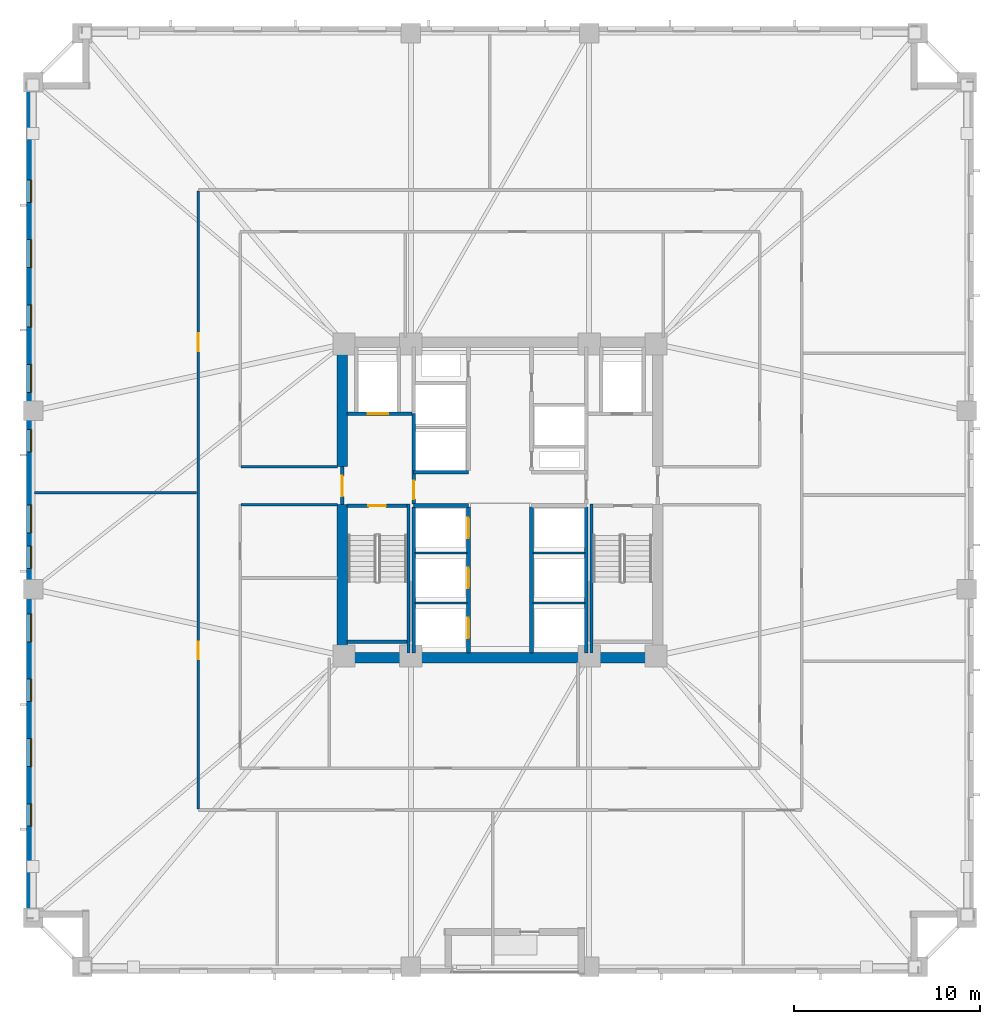
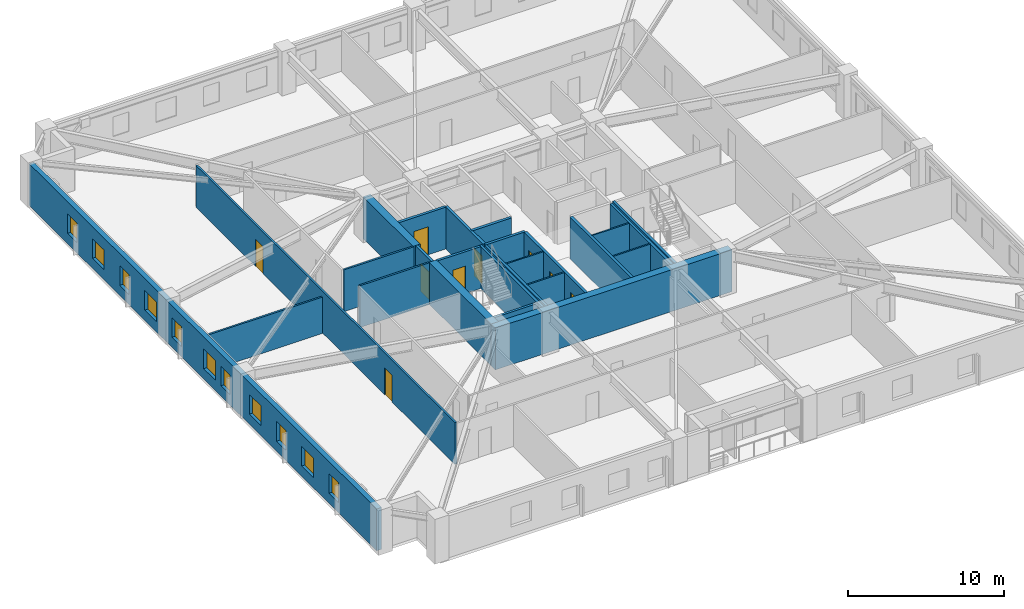
# One storey, part 3 of 11: 25 walls, 11 windows, 9 doors, 20 openings.
"""IFC4 building model written with IfcOpenShell, lengths in metres."""

import ifcopenshell
import ifcopenshell.guid

model = None  # the IFC model being written
_history = None  # IfcOwnerHistory: only IFC2X3 demands one
_inside = {}  # id of a spatial element -> (the spatial element, [elements in it])
_under = {}  # id of a project, library or spatial element -> (it, [spatial elements below it])
_declared = {}  # id of a project -> (the project, [libraries it declares])
_typed = {}  # id of a type object -> (the type object, [elements of that type])
_made_of = {}  # id of a material, layer set ... -> (it, [elements and type objects made of it])


def new_model(schema):
    """Start an empty IFC model of exactly this schema.

    Asked for "IFC4X3", IfcOpenShell would pick the latest addendum, in which some entities
    have other attributes; the version numbers below select the first issue.
    IFC2X3 requires an IfcOwnerHistory on every rooted entity: one is made here for all.
    """
    global model, _history
    if schema == "IFC4X3":
        model = ifcopenshell.file(schema_version=(4, 3, 0, 0))
    else:
        model = ifcopenshell.file(schema=schema)
    _inside.clear()
    _under.clear()
    _declared.clear()
    _typed.clear()
    _made_of.clear()
    _history = None
    if model.schema == "IFC2X3":
        org = make("IfcOrganization", Name="unknown")
        user = make(
            "IfcPersonAndOrganization",
            ThePerson=make("IfcPerson", FamilyName="unknown"),
            TheOrganization=org,
        )
        app = make(
            "IfcApplication",
            ApplicationDeveloper=org,
            Version="unknown",
            ApplicationFullName="unknown",
            ApplicationIdentifier="unknown",
        )
        _history = make(
            "IfcOwnerHistory",
            OwningUser=user,
            OwningApplication=app,
            ChangeAction="ADDED",
            CreationDate=0,
        )
    return model


def make(cls, **values):
    """One entity of the class cls with the attributes given. An attribute that is None is left unset."""
    return model.create_entity(
        cls, **{name: value for name, value in values.items() if value is not None}
    )


def rooted(cls, **values):
    """An entity with a GlobalId (a new one), such as an element, a storey or a relation."""
    return make(cls, GlobalId=ifcopenshell.guid.new(), OwnerHistory=_history, **values)


def si_unit(unit_type, name, prefix=None):
    """IfcSIUnit, for example si_unit("LENGTHUNIT", "METRE", prefix="MILLI")."""
    return make("IfcSIUnit", UnitType=unit_type, Prefix=prefix, Name=name)


def assignment(units):
    """IfcUnitAssignment: the units of a project."""
    return None if units is None else make("IfcUnitAssignment", Units=units)


def point(xyz):
    """IfcCartesianPoint."""
    return None if xyz is None else make("IfcCartesianPoint", Coordinates=xyz)


def direction(xyz):
    """IfcDirection."""
    return None if xyz is None else make("IfcDirection", DirectionRatios=xyz)


def frame(location, z_axis=None, x_axis=None):
    """IfcAxis2Placement3D, a coordinate frame: its origin and axes. An axis left out is left unset."""
    return make(
        "IfcAxis2Placement3D",
        Location=point(location),
        Axis=direction(z_axis),
        RefDirection=direction(x_axis),
    )


def frame_2d(location, x_axis=None):
    """IfcAxis2Placement2D, a coordinate frame in the plane: its origin and x axis."""
    return make(
        "IfcAxis2Placement2D", Location=point(location), RefDirection=direction(x_axis)
    )


def origin():
    """The frame at (0, 0, 0) with its axes left unset."""
    return frame((0.0, 0.0, 0.0))


def place(relative_to, where):
    """IfcLocalPlacement: puts the frame where relative to a parent placement (None: the world)."""
    return make(
        "IfcLocalPlacement", PlacementRelTo=relative_to, RelativePlacement=where
    )


def context(
    kind, dimensions, precision=None, world=None, true_north=None, identifier=None
):
    """IfcGeometricRepresentationContext, for example the 3D "Model" context."""
    return make(
        "IfcGeometricRepresentationContext",
        ContextIdentifier=identifier,
        ContextType=kind,
        CoordinateSpaceDimension=dimensions,
        Precision=precision,
        WorldCoordinateSystem=world,
        TrueNorth=true_north,
    )


def subcontext(parent, identifier, kind, view, scale=None):
    """IfcGeometricRepresentationSubContext, for example "Body" below "Model"."""
    return make(
        "IfcGeometricRepresentationSubContext",
        ContextIdentifier=identifier,
        ContextType=kind,
        ParentContext=parent,
        TargetScale=scale,
        TargetView=view,
    )


def project(units=None, contexts=None):
    """IfcProject with its units and contexts."""
    return rooted(
        "IfcProject",
        Name="project",
        RepresentationContexts=contexts,
        UnitsInContext=assignment(units),
    )


def spatial(cls, under=None, at=None, **own):
    """A site, building, storey or space (cls), placed at a placement, below another one or the project."""
    s = rooted(cls, ObjectPlacement=at, **own)
    if under is not None:
        _under.setdefault(under.id(), (under, []))[1].append(s)
    return s


def profile(cls, at=None, kind="AREA", **sizes):
    """A parametric profile (cls). Its sizes go by their IFC names, for example OverallWidth=200.0."""
    return make(cls, ProfileType=kind, Position=at, **sizes)


def rectangle(**sizes):
    """IfcRectangleProfileDef."""
    return profile("IfcRectangleProfileDef", **sizes)


def extrude(swept, where, along, depth):
    """IfcExtrudedAreaSolid: the profile swept, set in the frame where, extruded along a direction by depth."""
    return make(
        "IfcExtrudedAreaSolid",
        SweptArea=swept,
        Position=where,
        ExtrudedDirection=direction(along),
        Depth=depth,
    )


def shape(context_of_items, identifier, shape_type, items):
    """IfcShapeRepresentation: the items that make up one representation, for example the "Body"."""
    return make(
        "IfcShapeRepresentation",
        ContextOfItems=context_of_items,
        RepresentationIdentifier=identifier,
        RepresentationType=shape_type,
        Items=items,
    )


def material(Name=None, Category=None):
    """IfcMaterial."""
    return make("IfcMaterial", Name=Name, Category=Category)


def layer(
    of_material, thickness, ventilated=None, Name=None, Category=None, Priority=None
):
    """IfcMaterialLayer: one layer of a wall or slab, of a material (None: an air gap)."""
    return make(
        "IfcMaterialLayer",
        Material=of_material,
        LayerThickness=thickness,
        IsVentilated=ventilated,
        Name=Name,
        Category=Category,
        Priority=Priority,
    )


def layer_set(layers, Name=None):
    """IfcMaterialLayerSet."""
    return make("IfcMaterialLayerSet", MaterialLayers=layers, LayerSetName=Name)


def made_of(thing, what):
    """Note that an element or type object is made of a material, layer set ...; save() writes the relation."""
    if what is not None:
        _made_of.setdefault(what.id(), (what, []))[1].append(thing)
    return thing


def type_object(cls, material=None, **own):
    """A type object (cls), such as IfcWallType, which elements share."""
    return made_of(rooted(cls, **own), material)


def element(
    cls,
    number,
    at=None,
    inside=None,
    cuts=None,
    type_object=None,
    material=None,
    context=None,
    identifier="Body",
    shape_type=None,
    held_by="IfcProductDefinitionShape",
    body=None,
    shapes=None,
    **own,
):
    """One element of the class cls, such as IfcWall. Its Tag is "e" and its number.

    at: its placement. inside: the storey or other place that contains it. cuts: it is an
    opening in that element (IfcRelVoidsElement). A single representation is given by context,
    identifier, shape_type and body (its items); several are given by shapes. held_by: the class
    of the entity that holds the representations. save() writes the other relations.
    """
    e = rooted(cls, Tag="e%d" % number, ObjectPlacement=at, **own)
    if body is not None:
        shapes = [shape(context, identifier, shape_type, body)]
    if shapes is not None:
        e.Representation = make(held_by, Representations=shapes)
    if inside is not None:
        _inside.setdefault(inside.id(), (inside, []))[1].append(e)
    if cuts is not None:
        rooted(
            "IfcRelVoidsElement", RelatingBuildingElement=cuts, RelatedOpeningElement=e
        )
    if type_object is not None:
        _typed.setdefault(type_object.id(), (type_object, []))[1].append(e)
    return made_of(e, material)


def fill(opening, filler):
    """IfcRelFillsElement: the door or window that sits in an opening."""
    return rooted(
        "IfcRelFillsElement",
        RelatingOpeningElement=opening,
        RelatedBuildingElement=filler,
    )


def aggregate(whole, parts):
    """IfcRelAggregates: a whole, such as a stair, and the parts it consists of."""
    return rooted("IfcRelAggregates", RelatingObject=whole, RelatedObjects=parts)


def save(model, path):
    """Write the relations noted so far, then the file.

    IfcRelAggregates (storeys below a building ...), IfcRelContainedInSpatialStructure (elements
    in a storey), IfcRelDefinesByType, IfcRelAssociatesMaterial and IfcRelDeclares: one each for
    every whole, place, type object, material and project.
    """
    for whole, parts in _under.values():
        aggregate(whole, parts)
    for where, things in _inside.values():
        rooted(
            "IfcRelContainedInSpatialStructure",
            RelatedElements=things,
            RelatingStructure=where,
        )
    for kind, things in _typed.values():
        rooted("IfcRelDefinesByType", RelatedObjects=things, RelatingType=kind)
    for what, things in _made_of.values():
        rooted("IfcRelAssociatesMaterial", RelatedObjects=things, RelatingMaterial=what)
    for by, libraries in _declared.values():
        rooted("IfcRelDeclares", RelatingContext=by, RelatedDefinitions=libraries)
    model.write(path)


model = new_model("IFC4")

# Units and contexts
model_context = context("Model", 3, precision=1e-05, world=origin(), true_north=direction((0.0, 1.0)))
body_context = subcontext(model_context, "Body", "Model", "MODEL_VIEW")
ifc_project = project(units=[si_unit("LENGTHUNIT", "METRE"), si_unit("AREAUNIT", "SQUARE_METRE"), si_unit("VOLUMEUNIT", "CUBIC_METRE"), si_unit("PLANEANGLEUNIT", "RADIAN"), si_unit("MASSUNIT", "GRAM", prefix="KILO")], contexts=[model_context])

# Site, building, storey
site_placement = place(None, origin())
site = spatial("IfcSite", under=ifc_project, at=site_placement, CompositionType="ELEMENT")
building_placement = place(site_placement, origin())
building = spatial("IfcBuilding", under=site, at=building_placement, Name="Cairnveth Concourse Tower", CompositionType="ELEMENT")
storey_placement = place(building_placement, frame((0.0, 0.0, 41.0)))
storey = spatial("IfcBuildingStorey", under=building, at=storey_placement, Name="L10", CompositionType="ELEMENT", Elevation=41.0)

# Walls
ifc_material_1 = material(Name="Concrete N80 (80 MPa)", Category="concrete")
ifc_layer_1 = layer(ifc_material_1, 0.550048828125)
ifc_layer_set_1 = layer_set([ifc_layer_1], Name="Concrete N80 (80 MPa)")
wall_type_1 = type_object("IfcWallType", Name="CORE SHEAR WALL 550", PredefinedType="SHEAR", material=ifc_layer_set_1)
wall_1_placement = place(storey_placement, frame((43.22509765625, 30.5, 0.0), z_axis=(0.0, 0.0, 1.0), x_axis=(1.0, 0.0, 0.0)))
element("IfcWall", 1, at=wall_1_placement, inside=storey, type_object=wall_type_1, Name="Core South Shear Wall L10", PredefinedType="SHEAR", context=body_context, shape_type="SweptSolid", body=[
    extrude(rectangle(XDim=17.5498046875, YDim=0.550048828125, at=frame_2d((8.77490234375, 0.0))), origin(), (0.0, 0.0, 1.0), 3.280029296875),
])
wall_2_placement = place(storey_placement, frame((43.5, 30.764892578125, 0.0), z_axis=(0.0, 0.0, 1.0), x_axis=(0.0, 1.0, 0.0)))
element("IfcWall", 2, at=wall_2_placement, inside=storey, type_object=wall_type_1, Name="Core West Shear Wall S L10", PredefinedType="SHEAR", context=body_context, shape_type="SweptSolid", body=[
    extrude(rectangle(XDim=7.985107421875, YDim=0.550048828125, at=frame_2d((3.99267578125, 0.0))), origin(), (0.0, 0.0, 1.0), 3.280029296875),
])
wall_3_placement = place(storey_placement, frame((43.5, 40.800048828125, 0.0), z_axis=(0.0, 0.0, 1.0), x_axis=(0.0, 1.0, 0.0)))
element("IfcWall", 3, at=wall_3_placement, inside=storey, type_object=wall_type_1, Name="Core West Shear Wall N L10", PredefinedType="SHEAR", context=body_context, shape_type="SweptSolid", body=[
    extrude(rectangle(XDim=6.43505859375, YDim=0.550048828125, at=frame_2d((3.217529296875, 0.0))), origin(), (0.0, 0.0, 1.0), 3.280029296875),
])
ifc_material_2 = material(Name="Concrete N50 (50 MPa)", Category="concrete")
ifc_layer_2 = layer(ifc_material_2, 0.179931640625)
ifc_layer_set_2 = layer_set([ifc_layer_2], Name="Concrete N50 (50 MPa)")
wall_type_2 = type_object("IfcWallType", Name="FIRE SHAFT WALL 180", PredefinedType="SOLIDWALL", material=ifc_layer_set_2)
for number, where, z_axis, x_axis, name in (
    (4, (47.35009765625, 30.760009765625, 0.0), (0.0, 0.0, 1.0), (0.0, 1.0, 0.0), "Interior Wall IW-L10-025"),
    (5, (56.64990234375, 30.760009765625, 0.0), (0.0, 0.0, 1.0), (0.0, 1.0, 0.0), "Interior Wall IW-L10-028"),
):
    element("IfcWall", number, at=place(storey_placement, frame(where, z_axis=z_axis, x_axis=x_axis)), inside=storey, type_object=wall_type_2, Name=name, PredefinedType="SOLIDWALL", context=body_context, shape_type="SweptSolid", body=[
        extrude(rectangle(XDim=7.85498046875, YDim=0.179931640625, at=frame_2d((3.927490234375, 0.0))), origin(), (0.0, 0.0, 1.0), 3.280029296875),
    ])

# Wall, opening, door
wall_4_placement = place(storey_placement, frame((43.764892578125, 38.68994140625, 0.0), z_axis=(0.0, 0.0, 1.0), x_axis=(1.0, 0.0, 0.0)))
wall_4 = element("IfcWall", 6, at=wall_4_placement, inside=storey, type_object=wall_type_2, Name="Stair ST-1 Shaft Wall NEAR L10", PredefinedType="SOLIDWALL", context=body_context, shape_type="SweptSolid", body=[
    extrude(rectangle(XDim=3.230224609375, YDim=0.179931640625, at=frame_2d((1.615234375, 0.0))), origin(), (0.0, 0.0, 1.0), 3.280029296875),
])
opening_1_placement = place(wall_4_placement, frame((1.139892578125, 0.0, 0.0)))
opening_1 = element("IfcOpeningElement", 7, at=opening_1_placement, cuts=wall_4, Name="Opening ID12", PredefinedType="OPENING", context=body_context, shape_type="SweptSolid", body=[
    extrude(rectangle(XDim=0.949951171875, YDim=2.14990234375, at=frame_2d((0.47509765625, 1.074951171875))), frame((0.0, 0.099853515625, 0.0), z_axis=(0.0, -1.0, 0.0), x_axis=(1.0, 0.0, 0.0)), (0.0, 0.0, 1.0), 0.199951171875),
])
ifc_material_3 = material(Name="Steel Grade 350", Category="steel")
door_type_1 = type_object("IfcDoorType", Name="FIRE STAIR DOOR 950X2150", OperationType="NOTDEFINED", PredefinedType="DOOR", material=ifc_material_3)
door_1_placement = place(opening_1_placement, origin())
door_1 = element("IfcDoor", 8, at=door_1_placement, inside=storey, type_object=door_type_1, Name="Stair ST-1 Fire Door L10", OperationType="SINGLE_SWING_LEFT", OverallHeight=2.14990234375, OverallWidth=0.949951171875, PredefinedType="DOOR", context=body_context, shape_type="SweptSolid", body=[
    extrude(rectangle(XDim=0.949951171875, YDim=2.14990234375, at=frame_2d((0.47509765625, 1.074951171875))), frame((0.0, 0.02490234375, 0.0), z_axis=(0.0, -1.0, 0.0), x_axis=(1.0, 0.0, 0.0)), (0.0, 0.0, 1.0), 0.050048828125),
])
fill(opening_1, door_1)

# Walls
wall_5_placement = place(storey_placement, frame((43.764892578125, 31.360107421875, 0.0), z_axis=(0.0, 0.0, 1.0), x_axis=(1.0, 0.0, 0.0)))
element("IfcWall", 9, at=wall_5_placement, inside=storey, type_object=wall_type_2, Name="Stair ST-1 Shaft Wall FAR L10", PredefinedType="SOLIDWALL", context=body_context, shape_type="SweptSolid", body=[
    extrude(rectangle(XDim=3.230224609375, YDim=0.179931640625, at=frame_2d((1.615234375, 0.0))), origin(), (0.0, 0.0, 1.0), 3.280029296875),
])
for number, where, z_axis, x_axis, name in (
    (10, (47.070068359375, 38.780029296875, 0.0), (0.0, 0.0, 1.0), (0.0, -1.0, 0.0), "Stair ST-1 Shaft Wall RGHT L10"),
    (11, (56.929931640625, 38.780029296875, 0.0), (0.0, 0.0, 1.0), (0.0, -1.0, 0.0), "Stair ST-2 Shaft Wall LEFT L10"),
):
    element("IfcWall", number, at=place(storey_placement, frame(where, z_axis=z_axis, x_axis=x_axis)), inside=storey, type_object=wall_type_2, Name=name, PredefinedType="SOLIDWALL", context=body_context, shape_type="SweptSolid", body=[
        extrude(rectangle(XDim=8.01708984375, YDim=0.179931640625, at=frame_2d((4.008544921875, 0.0))), origin(), (0.0, 0.0, 1.0), 3.280029296875),
    ])
ifc_layer_3 = layer(ifc_material_2, 0.199951171875)
ifc_layer_set_3 = layer_set([ifc_layer_3], Name="Concrete N50 (50 MPa)")
wall_type_3 = type_object("IfcWallType", Name="FIRE SHAFT WALL 200", PredefinedType="SOLIDWALL", material=ifc_layer_set_3)
for number, where, z_axis, x_axis, name in (
    (12, (47.35009765625, 38.699951171875, 0.0), (0.0, 0.0, 1.0), (1.0, 0.0, 0.0), "Interior Wall IW-L10-007"),
    (13, (47.35009765625, 40.5, 0.0), (0.0, 0.0, 1.0), (1.0, 0.0, 0.0), "Interior Wall IW-L10-008"),
):
    element("IfcWall", number, at=place(storey_placement, frame(where, z_axis=z_axis, x_axis=x_axis)), inside=storey, type_object=wall_type_3, Name=name, PredefinedType="SOLIDWALL", context=body_context, shape_type="SweptSolid", body=[
        extrude(rectangle(XDim=2.949951171875, YDim=0.199951171875, at=frame_2d((1.47509765625, 0.0))), origin(), (0.0, 0.0, 1.0), 3.280029296875),
    ])

# Wall, openings, doors
wall_6_placement = place(storey_placement, frame((50.300048828125, 30.760009765625, 0.0), z_axis=(0.0, 0.0, 1.0), x_axis=(0.0, 1.0, 0.0)))
wall_6 = element("IfcWall", 14, at=wall_6_placement, inside=storey, type_object=wall_type_3, Name="Interior Wall IW-L10-011", PredefinedType="SOLIDWALL", context=body_context, shape_type="SweptSolid", body=[
    extrude(rectangle(XDim=7.85498046875, YDim=0.199951171875, at=frame_2d((3.927490234375, 0.0))), origin(), (0.0, 0.0, 1.0), 3.280029296875),
])
opening_2_placement = place(wall_6_placement, frame((0.7900390625, 0.0, 0.0)))
opening_2 = element("IfcOpeningElement", 15, at=opening_2_placement, cuts=wall_6, Name="Opening LD-1", PredefinedType="OPENING", context=body_context, shape_type="SweptSolid", body=[
    extrude(rectangle(XDim=1.10009765625, YDim=2.199951171875, at=frame_2d((0.550048828125, 1.10009765625))), frame((0.0, 0.10986328125, 0.0), z_axis=(0.0, -1.0, 0.0), x_axis=(1.0, 0.0, 0.0)), (0.0, 0.0, 1.0), 0.219970703125),
])
opening_3_placement = place(wall_6_placement, frame((3.489990234375, 0.0, 0.0)))
opening_3 = element("IfcOpeningElement", 16, at=opening_3_placement, cuts=wall_6, Name="Opening LD-1", PredefinedType="OPENING", context=body_context, shape_type="SweptSolid", body=[
    extrude(rectangle(XDim=1.10009765625, YDim=2.199951171875, at=frame_2d((0.550048828125, 1.10009765625))), frame((0.0, 0.10986328125, 0.0), z_axis=(0.0, -1.0, 0.0), x_axis=(1.0, 0.0, 0.0)), (0.0, 0.0, 1.0), 0.219970703125),
])
opening_4_placement = place(wall_6_placement, frame((6.18994140625, 0.0, 0.0)))
opening_4 = element("IfcOpeningElement", 17, at=opening_4_placement, cuts=wall_6, Name="Opening LD-1", PredefinedType="OPENING", context=body_context, shape_type="SweptSolid", body=[
    extrude(rectangle(XDim=1.10009765625, YDim=2.199951171875, at=frame_2d((0.550048828125, 1.10009765625))), frame((0.0, 0.10986328125, 0.0), z_axis=(0.0, -1.0, 0.0), x_axis=(1.0, 0.0, 0.0)), (0.0, 0.0, 1.0), 0.219970703125),
])
ifc_material_4 = material(Name="Architectural Bronze Anodised Aluminium 6063-T6", Category="aluminium")
door_type_2 = type_object("IfcDoorType", Name="LIFT LANDING DOOR 1100X2200", OperationType="SLIDING_TO_LEFT", PredefinedType="DOOR", material=ifc_material_4)
door_2_placement = place(opening_2_placement, origin())
door_2 = element("IfcDoor", 18, at=door_2_placement, inside=storey, type_object=door_type_2, Name="Lift PL1 Landing Door L10", OperationType="SLIDING_TO_LEFT", OverallHeight=2.199951171875, OverallWidth=1.10009765625, PredefinedType="DOOR", context=body_context, shape_type="SweptSolid", body=[
    extrude(rectangle(XDim=1.10009765625, YDim=2.199951171875, at=frame_2d((0.550048828125, 1.10009765625))), frame((0.0, 0.02490234375, 0.0), z_axis=(0.0, -1.0, 0.0), x_axis=(1.0, 0.0, 0.0)), (0.0, 0.0, 1.0), 0.050048828125),
])
fill(opening_2, door_2)
door_3_placement = place(opening_3_placement, origin())
door_3 = element("IfcDoor", 19, at=door_3_placement, inside=storey, type_object=door_type_2, Name="Lift PL2 Landing Door L10", OperationType="SLIDING_TO_LEFT", OverallHeight=2.199951171875, OverallWidth=1.10009765625, PredefinedType="DOOR", context=body_context, shape_type="SweptSolid", body=[
    extrude(rectangle(XDim=1.10009765625, YDim=2.199951171875, at=frame_2d((0.550048828125, 1.10009765625))), frame((0.0, 0.02490234375, 0.0), z_axis=(0.0, -1.0, 0.0), x_axis=(1.0, 0.0, 0.0)), (0.0, 0.0, 1.0), 0.050048828125),
])
fill(opening_3, door_3)
door_4_placement = place(opening_4_placement, origin())
door_4 = element("IfcDoor", 20, at=door_4_placement, inside=storey, type_object=door_type_2, Name="Lift PL3 Landing Door L10", OperationType="SLIDING_TO_LEFT", OverallHeight=2.199951171875, OverallWidth=1.10009765625, PredefinedType="DOOR", context=body_context, shape_type="SweptSolid", body=[
    extrude(rectangle(XDim=1.10009765625, YDim=2.199951171875, at=frame_2d((0.550048828125, 1.10009765625))), frame((0.0, 0.02490234375, 0.0), z_axis=(0.0, -1.0, 0.0), x_axis=(1.0, 0.0, 0.0)), (0.0, 0.0, 1.0), 0.050048828125),
])
fill(opening_4, door_4)

# Wall
wall_7_placement = place(storey_placement, frame((53.699951171875, 30.760009765625, 0.0), z_axis=(0.0, 0.0, 1.0), x_axis=(0.0, 1.0, 0.0)))
element("IfcWall", 21, at=wall_7_placement, inside=storey, type_object=wall_type_3, Name="Interior Wall IW-L10-012", PredefinedType="SOLIDWALL", context=body_context, shape_type="SweptSolid", body=[
    extrude(rectangle(XDim=7.85498046875, YDim=0.199951171875, at=frame_2d((3.927490234375, 0.0))), origin(), (0.0, 0.0, 1.0), 3.280029296875),
])

# Wall, opening, door
wall_8_placement = place(storey_placement, frame((43.5, 38.75, 0.0), z_axis=(0.0, 0.0, 1.0), x_axis=(0.0, 1.0, 0.0)))
wall_8 = element("IfcWall", 22, at=wall_8_placement, inside=storey, type_object=wall_type_3, Name="Interior Wall IW-L10-015", PredefinedType="SOLIDWALL", context=body_context, shape_type="SweptSolid", body=[
    extrude(rectangle(XDim=2.050048828125, YDim=0.199951171875, at=frame_2d((1.02490234375, 0.0))), origin(), (0.0, 0.0, 1.0), 3.280029296875),
])
opening_5_placement = place(wall_8_placement, frame((0.449951171875, 0.0, 0.0)))
opening_5 = element("IfcOpeningElement", 23, at=opening_5_placement, cuts=wall_8, Name="Opening ID06", PredefinedType="OPENING", context=body_context, shape_type="SweptSolid", body=[
    extrude(rectangle(XDim=1.10009765625, YDim=2.14990234375, at=frame_2d((0.550048828125, 1.074951171875))), frame((0.0, 0.10986328125, 0.0), z_axis=(0.0, -1.0, 0.0), x_axis=(1.0, 0.0, 0.0)), (0.0, 0.0, 1.0), 0.219970703125),
])
door_type_3 = type_object("IfcDoorType", Name="FIRE CORRIDOR DOOR 1100X2150", OperationType="NOTDEFINED", PredefinedType="DOOR", material=ifc_material_3)
door_5_placement = place(opening_5_placement, origin())
door_5 = element("IfcDoor", 24, at=door_5_placement, inside=storey, type_object=door_type_3, Name="West Wing to FF Lobby Door L10", OperationType="SINGLE_SWING_LEFT", OverallHeight=2.14990234375, OverallWidth=1.10009765625, PredefinedType="DOOR", context=body_context, shape_type="SweptSolid", body=[
    extrude(rectangle(XDim=1.10009765625, YDim=2.14990234375, at=frame_2d((0.550048828125, 1.074951171875))), frame((0.0, 0.02490234375, 0.0), z_axis=(0.0, -1.0, 0.0), x_axis=(1.0, 0.0, 0.0)), (0.0, 0.0, 1.0), 0.050048828125),
])
fill(opening_5, door_5)

wall_9_placement = place(storey_placement, frame((47.35009765625, 38.784912109375, 0.0), z_axis=(0.0, 0.0, 1.0), x_axis=(0.0, 1.0, 0.0)))
wall_9 = element("IfcWall", 25, at=wall_9_placement, inside=storey, type_object=wall_type_3, Name="Interior Wall IW-L10-016", PredefinedType="SOLIDWALL", context=body_context, shape_type="SweptSolid", body=[
    extrude(rectangle(XDim=4.864990234375, YDim=0.199951171875, at=frame_2d((2.4326171875, 0.0))), origin(), (0.0, 0.0, 1.0), 3.280029296875),
])
opening_6_placement = place(wall_9_placement, frame((0.264892578125, 0.0, 0.0)))
opening_6 = element("IfcOpeningElement", 26, at=opening_6_placement, cuts=wall_9, Name="Opening ID07", PredefinedType="OPENING", context=body_context, shape_type="SweptSolid", body=[
    extrude(rectangle(XDim=1.0, YDim=2.14990234375, at=frame_2d((0.5, 1.074951171875))), frame((0.0, 0.10986328125, 0.0), z_axis=(0.0, -1.0, 0.0), x_axis=(1.0, 0.0, 0.0)), (0.0, 0.0, 1.0), 0.219970703125),
])
door_type_4 = type_object("IfcDoorType", Name="FIRE CORRIDOR DOOR 1000X2150", OperationType="NOTDEFINED", PredefinedType="DOOR", material=ifc_material_3)
door_6_placement = place(opening_6_placement, origin())
door_6 = element("IfcDoor", 27, at=door_6_placement, inside=storey, type_object=door_type_4, Name="FF Lobby West to Lift Lobby Door L10", OperationType="SINGLE_SWING_RIGHT", OverallHeight=2.14990234375, OverallWidth=1.0, PredefinedType="DOOR", context=body_context, shape_type="SweptSolid", body=[
    extrude(rectangle(XDim=1.0, YDim=2.14990234375, at=frame_2d((0.5, 1.074951171875))), frame((0.0, 0.02490234375, 0.0), z_axis=(0.0, -1.0, 0.0), x_axis=(1.0, 0.0, 0.0)), (0.0, 0.0, 1.0), 0.050048828125),
])
fill(opening_6, door_6)

wall_10_placement = place(storey_placement, frame((43.760009765625, 43.64990234375, 0.0), z_axis=(0.0, 0.0, 1.0), x_axis=(1.0, 0.0, 0.0)))
wall_10 = element("IfcWall", 28, at=wall_10_placement, inside=storey, type_object=wall_type_3, Name="Interior Wall IW-L10-017", PredefinedType="SOLIDWALL", context=body_context, shape_type="SweptSolid", body=[
    extrude(rectangle(XDim=3.5048828125, YDim=0.199951171875, at=frame_2d((1.75244140625, 0.0))), origin(), (0.0, 0.0, 1.0), 3.280029296875),
])
opening_7_placement = place(wall_10_placement, frame((1.110107421875, 0.0, 0.0)))
opening_7 = element("IfcOpeningElement", 29, at=opening_7_placement, cuts=wall_10, Name="Opening LD-1", PredefinedType="OPENING", context=body_context, shape_type="SweptSolid", body=[
    extrude(rectangle(XDim=1.10009765625, YDim=2.199951171875, at=frame_2d((0.550048828125, 1.10009765625))), frame((0.0, 0.10986328125, 0.0), z_axis=(0.0, -1.0, 0.0), x_axis=(1.0, 0.0, 0.0)), (0.0, 0.0, 1.0), 0.219970703125),
])
door_7_placement = place(opening_7_placement, origin())
door_7 = element("IfcDoor", 30, at=door_7_placement, inside=storey, type_object=door_type_2, Name="Lift FFL1 Landing Door L10", OperationType="SLIDING_TO_LEFT", OverallHeight=2.199951171875, OverallWidth=1.10009765625, PredefinedType="DOOR", context=body_context, shape_type="SweptSolid", body=[
    extrude(rectangle(XDim=1.10009765625, YDim=2.199951171875, at=frame_2d((0.550048828125, 1.10009765625))), frame((0.0, 0.02490234375, 0.0), z_axis=(0.0, -1.0, 0.0), x_axis=(1.0, 0.0, 0.0)), (0.0, 0.0, 1.0), 0.050048828125),
])
fill(opening_7, door_7)

# Wall, openings, doors
ifc_material_5 = material(Name="Gypsum Plasterboard Partition", Category="gypsum")
ifc_layer_4 = layer(ifc_material_5, 0.139892578125)
ifc_layer_set_4 = layer_set([ifc_layer_4], Name="Gypsum Plasterboard Partition")
wall_type_4 = type_object("IfcWallType", Name="GYPSUM STUD PARTITION 140", PredefinedType="PARTITIONING", material=ifc_layer_set_4)
wall_11_placement = place(storey_placement, frame((35.75, 22.35498046875, 0.0), z_axis=(0.0, 0.0, 1.0), x_axis=(0.0, 1.0, 0.0)))
wall_11 = element("IfcWall", 31, at=wall_11_placement, inside=storey, type_object=wall_type_4, Name="Interior Wall IW-L10-039", PredefinedType="PARTITIONING", context=body_context, shape_type="SweptSolid", body=[
    extrude(rectangle(XDim=33.2900390625, YDim=0.139892578125, at=frame_2d((16.64501953125, 0.0))), origin(), (0.0, 0.0, 1.0), 3.280029296875),
])
opening_8_placement = place(wall_11_placement, frame((8.058349609375, 0.0, 0.0)))
opening_8 = element("IfcOpeningElement", 32, at=opening_8_placement, cuts=wall_11, Name="Opening ID11", PredefinedType="OPENING", context=body_context, shape_type="SweptSolid", body=[
    extrude(rectangle(XDim=0.9599609375, YDim=2.1201171875, at=frame_2d((0.47998046875, 1.06005859375))), frame((0.0, 0.079833984375, 0.0), z_axis=(0.0, -1.0, 0.0), x_axis=(1.0, 0.0, 0.0)), (0.0, 0.0, 1.0), 0.159912109375),
])
opening_9_placement = place(wall_11_placement, frame((24.658203125, 0.0, 0.0)))
opening_9 = element("IfcOpeningElement", 33, at=opening_9_placement, cuts=wall_11, Name="Opening ID11", PredefinedType="OPENING", context=body_context, shape_type="SweptSolid", body=[
    extrude(rectangle(XDim=0.9599609375, YDim=2.1201171875, at=frame_2d((0.47998046875, 1.06005859375))), frame((0.0, 0.079833984375, 0.0), z_axis=(0.0, -1.0, 0.0), x_axis=(1.0, 0.0, 0.0)), (0.0, 0.0, 1.0), 0.159912109375),
])
ifc_material_6 = material(Name="Solid Core Hardwood Timber Leaf", Category="wood")
door_type_5 = type_object("IfcDoorType", Name="INTERIOR SINGLE DOOR 960X2150", OperationType="NOTDEFINED", PredefinedType="DOOR", material=ifc_material_6)
door_8_placement = place(opening_8_placement, origin())
door_8 = element("IfcDoor", 34, at=door_8_placement, inside=storey, type_object=door_type_5, Name="Office Door L10-W1", OperationType="SINGLE_SWING_RIGHT", OverallHeight=2.1201171875, OverallWidth=0.9599609375, PredefinedType="DOOR", context=body_context, shape_type="SweptSolid", body=[
    extrude(rectangle(XDim=0.9599609375, YDim=2.1201171875, at=frame_2d((0.47998046875, 1.06005859375))), frame((0.0, 0.02490234375, 0.0), z_axis=(0.0, -1.0, 0.0), x_axis=(1.0, 0.0, 0.0)), (0.0, 0.0, 1.0), 0.050048828125),
])
fill(opening_8, door_8)
door_9_placement = place(opening_9_placement, origin())
door_9 = element("IfcDoor", 35, at=door_9_placement, inside=storey, type_object=door_type_5, Name="Office Door L10-W2", OperationType="SINGLE_SWING_LEFT", OverallHeight=2.1201171875, OverallWidth=0.9599609375, PredefinedType="DOOR", context=body_context, shape_type="SweptSolid", body=[
    extrude(rectangle(XDim=0.9599609375, YDim=2.1201171875, at=frame_2d((0.47998046875, 1.06005859375))), frame((0.0, 0.02490234375, 0.0), z_axis=(0.0, -1.0, 0.0), x_axis=(1.0, 0.0, 0.0)), (0.0, 0.0, 1.0), 0.050048828125),
])
fill(opening_9, door_9)

# Walls
for number, where, z_axis, x_axis, name in (
    (36, (38.054931640625, 38.75, 0.0), (0.0, 0.0, 1.0), (1.0, 0.0, 0.0), "Interior Wall IW-L10-045"),
    (37, (38.054931640625, 40.800048828125, 0.0), (0.0, 0.0, 1.0), (1.0, 0.0, 0.0), "Interior Wall IW-L10-046"),
):
    element("IfcWall", number, at=place(storey_placement, frame(where, z_axis=z_axis, x_axis=x_axis)), inside=storey, type_object=wall_type_4, Name=name, PredefinedType="PARTITIONING", context=body_context, shape_type="SweptSolid", body=[
        extrude(rectangle(XDim=5.18505859375, YDim=0.139892578125, at=frame_2d((2.592529296875, 0.0))), origin(), (0.0, 0.0, 1.0), 3.280029296875),
    ])
wall_12_placement = place(storey_placement, frame((26.919921875, 39.38671875, 0.0), z_axis=(0.0, 0.0, 1.0), x_axis=(1.0, 0.0, 0.0)))
element("IfcWall", 38, at=wall_12_placement, inside=storey, type_object=wall_type_4, Name="Interior Wall IW-L10-060", PredefinedType="PARTITIONING", context=body_context, shape_type="SweptSolid", body=[
    extrude(rectangle(XDim=8.72998046875, YDim=0.139892578125, at=frame_2d((4.364990234375, 0.0))), origin(), (0.0, 0.0, 1.0), 2.84912109375),
])
ifc_layer_5 = layer(ifc_material_5, 0.110107421875)
ifc_layer_set_5 = layer_set([ifc_layer_5], Name="Gypsum Plasterboard Partition")
wall_type_5 = type_object("IfcWallType", Name="SHAFT DIVIDER WALL 140", PredefinedType="PARTITIONING", material=ifc_layer_set_5)
for number, where, z_axis, x_axis, name in (
    (39, (47.425048828125, 33.449951171875, 0.0), (0.0, 0.0, 1.0), (1.0, 0.0, 0.0), "Interior Wall IW-L10-026"),
    (40, (47.425048828125, 36.14990234375, 0.0), (0.0, 0.0, 1.0), (1.0, 0.0, 0.0), "Interior Wall IW-L10-027"),
    (41, (53.784912109375, 33.449951171875, 0.0), (0.0, 0.0, 1.0), (1.0, 0.0, 0.0), "Interior Wall IW-L10-029"),
    (42, (53.784912109375, 36.14990234375, 0.0), (0.0, 0.0, 1.0), (1.0, 0.0, 0.0), "Interior Wall IW-L10-030"),
):
    element("IfcWall", number, at=place(storey_placement, frame(where, z_axis=z_axis, x_axis=x_axis)), inside=storey, type_object=wall_type_5, Name=name, PredefinedType="PARTITIONING", context=body_context, shape_type="SweptSolid", body=[
        extrude(rectangle(XDim=2.7900390625, YDim=0.110107421875, at=frame_2d((1.39501953125, 0.0))), origin(), (0.0, 0.0, 1.0), 3.280029296875),
    ])

# Wall, openings, windows
ifc_material_7 = material(Name="Hawthorn Red-Ochre Fired Clay Brick Masonry", Category="masonry")
ifc_layer_6 = layer(ifc_material_7, 0.360107421875)
ifc_layer_set_6 = layer_set([ifc_layer_6], Name="Hawthorn Red-Ochre Fired Clay Brick Masonry")
wall_type_6 = type_object("IfcWallType", Name="ZONE 1 BRICK PIER SPANDREL WALL 360", PredefinedType="SOLIDWALL", material=ifc_layer_set_6)
wall_13_placement = place(storey_placement, frame((26.679931640625, 16.5, 0.0), z_axis=(0.0, 0.0, 1.0), x_axis=(0.0, 1.0, 0.0)))
wall_13 = element("IfcWall", 43, at=wall_13_placement, inside=storey, type_object=wall_type_6, Name="Exterior Wall EW-L10-S03", PredefinedType="SOLIDWALL", context=body_context, shape_type="SweptSolid", body=[
    extrude(rectangle(XDim=44.662109375, YDim=0.360107421875, at=frame_2d((22.3310546875, 0.0))), origin(), (0.0, 0.0, 1.0), 3.280029296875),
])
opening_10_placement = place(wall_13_placement, frame((4.93017578125, 0.0, 0.800048828125)))
opening_10 = element("IfcOpeningElement", 44, at=opening_10_placement, cuts=wall_13, Name="Opening W01", PredefinedType="OPENING", context=body_context, shape_type="SweptSolid", body=[
    extrude(rectangle(XDim=1.199951171875, YDim=1.5439453125, at=frame_2d((0.60009765625, 0.77197265625))), frame((0.0, 0.18994140625, 0.0), z_axis=(0.0, -1.0, 0.0), x_axis=(1.0, 0.0, 0.0)), (0.0, 0.0, 1.0), 0.380126953125),
])
opening_11_placement = place(wall_13_placement, frame((8.140380859375, 0.0, 0.800048828125)))
opening_11 = element("IfcOpeningElement", 45, at=opening_11_placement, cuts=wall_13, Name="Opening W03", PredefinedType="OPENING", context=body_context, shape_type="SweptSolid", body=[
    extrude(rectangle(XDim=1.5, YDim=1.5439453125, at=frame_2d((0.75, 0.77197265625))), frame((0.0, 0.18994140625, 0.0), z_axis=(0.0, -1.0, 0.0), x_axis=(1.0, 0.0, 0.0)), (0.0, 0.0, 1.0), 0.380126953125),
])
opening_12_placement = place(wall_13_placement, frame((11.650390625, 0.0, 0.800048828125)))
opening_12 = element("IfcOpeningElement", 46, at=opening_12_placement, cuts=wall_13, Name="Opening W01", PredefinedType="OPENING", context=body_context, shape_type="SweptSolid", body=[
    extrude(rectangle(XDim=1.199951171875, YDim=1.5439453125, at=frame_2d((0.60009765625, 0.77197265625))), frame((0.0, 0.18994140625, 0.0), z_axis=(0.0, -1.0, 0.0), x_axis=(1.0, 0.0, 0.0)), (0.0, 0.0, 1.0), 0.380126953125),
])
opening_13_placement = place(wall_13_placement, frame((14.860595703125, 0.0, 0.800048828125)))
opening_13 = element("IfcOpeningElement", 47, at=opening_13_placement, cuts=wall_13, Name="Opening W03", PredefinedType="OPENING", context=body_context, shape_type="SweptSolid", body=[
    extrude(rectangle(XDim=1.5, YDim=1.5439453125, at=frame_2d((0.75, 0.77197265625))), frame((0.0, 0.18994140625, 0.0), z_axis=(0.0, -1.0, 0.0), x_axis=(1.0, 0.0, 0.0)), (0.0, 0.0, 1.0), 0.380126953125),
])
opening_14_placement = place(wall_13_placement, frame((18.82080078125, 0.0, 0.800048828125)))
opening_14 = element("IfcOpeningElement", 48, at=opening_14_placement, cuts=wall_13, Name="Opening W01", PredefinedType="OPENING", context=body_context, shape_type="SweptSolid", body=[
    extrude(rectangle(XDim=1.199951171875, YDim=1.5439453125, at=frame_2d((0.60009765625, 0.77197265625))), frame((0.0, 0.18994140625, 0.0), z_axis=(0.0, -1.0, 0.0), x_axis=(1.0, 0.0, 0.0)), (0.0, 0.0, 1.0), 0.380126953125),
])
opening_15_placement = place(wall_13_placement, frame((20.73095703125, 0.0, 0.800048828125)))
opening_15 = element("IfcOpeningElement", 49, at=opening_15_placement, cuts=wall_13, Name="Opening W03", PredefinedType="OPENING", context=body_context, shape_type="SweptSolid", body=[
    extrude(rectangle(XDim=1.5, YDim=1.5439453125, at=frame_2d((0.75, 0.77197265625))), frame((0.0, 0.18994140625, 0.0), z_axis=(0.0, -1.0, 0.0), x_axis=(1.0, 0.0, 0.0)), (0.0, 0.0, 1.0), 0.380126953125),
])
opening_16_placement = place(wall_13_placement, frame((25.09130859375, 0.0, 0.800048828125)))
opening_16 = element("IfcOpeningElement", 50, at=opening_16_placement, cuts=wall_13, Name="Opening W01", PredefinedType="OPENING", context=body_context, shape_type="SweptSolid", body=[
    extrude(rectangle(XDim=1.199951171875, YDim=1.5439453125, at=frame_2d((0.60009765625, 0.77197265625))), frame((0.0, 0.18994140625, 0.0), z_axis=(0.0, -1.0, 0.0), x_axis=(1.0, 0.0, 0.0)), (0.0, 0.0, 1.0), 0.380126953125),
])
opening_17_placement = place(wall_13_placement, frame((28.301513671875, 0.0, 0.800048828125)))
opening_17 = element("IfcOpeningElement", 51, at=opening_17_placement, cuts=wall_13, Name="Opening W03", PredefinedType="OPENING", context=body_context, shape_type="SweptSolid", body=[
    extrude(rectangle(XDim=1.5, YDim=1.5439453125, at=frame_2d((0.75, 0.77197265625))), frame((0.0, 0.18994140625, 0.0), z_axis=(0.0, -1.0, 0.0), x_axis=(1.0, 0.0, 0.0)), (0.0, 0.0, 1.0), 0.380126953125),
])
opening_18_placement = place(wall_13_placement, frame((31.8115234375, 0.0, 0.800048828125)))
opening_18 = element("IfcOpeningElement", 52, at=opening_18_placement, cuts=wall_13, Name="Opening W01", PredefinedType="OPENING", context=body_context, shape_type="SweptSolid", body=[
    extrude(rectangle(XDim=1.199951171875, YDim=1.5439453125, at=frame_2d((0.60009765625, 0.77197265625))), frame((0.0, 0.18994140625, 0.0), z_axis=(0.0, -1.0, 0.0), x_axis=(1.0, 0.0, 0.0)), (0.0, 0.0, 1.0), 0.380126953125),
])
opening_19_placement = place(wall_13_placement, frame((35.021728515625, 0.0, 0.800048828125)))
opening_19 = element("IfcOpeningElement", 53, at=opening_19_placement, cuts=wall_13, Name="Opening W03", PredefinedType="OPENING", context=body_context, shape_type="SweptSolid", body=[
    extrude(rectangle(XDim=1.5, YDim=1.5439453125, at=frame_2d((0.75, 0.77197265625))), frame((0.0, 0.18994140625, 0.0), z_axis=(0.0, -1.0, 0.0), x_axis=(1.0, 0.0, 0.0)), (0.0, 0.0, 1.0), 0.380126953125),
])
opening_20_placement = place(wall_13_placement, frame((38.531982421875, 0.0, 0.800048828125)))
opening_20 = element("IfcOpeningElement", 54, at=opening_20_placement, cuts=wall_13, Name="Opening W01", PredefinedType="OPENING", context=body_context, shape_type="SweptSolid", body=[
    extrude(rectangle(XDim=1.199951171875, YDim=1.5439453125, at=frame_2d((0.60009765625, 0.77197265625))), frame((0.0, 0.18994140625, 0.0), z_axis=(0.0, -1.0, 0.0), x_axis=(1.0, 0.0, 0.0)), (0.0, 0.0, 1.0), 0.380126953125),
])
ifc_material_8 = material(Name="Double Glazed Low-E Clear Glass", Category="glass")
window_type_1 = type_object("IfcWindowType", Name="DEEP-SET GOTHIC LANCET WINDOW 1200X1800", PartitioningType="DOUBLE_PANEL_VERTICAL", PredefinedType="WINDOW", material=ifc_material_8)
window_1_placement = place(opening_10_placement, origin())
window_1 = element("IfcWindow", 55, at=window_1_placement, inside=storey, type_object=window_type_1, Name="Gothic Lancet Window L10-3-1", OverallHeight=1.5439453125, OverallWidth=1.199951171875, PartitioningType="SINGLE_PANEL", PredefinedType="WINDOW", context=body_context, shape_type="SweptSolid", body=[
    extrude(rectangle(XDim=1.199951171875, YDim=1.5439453125, at=frame_2d((0.60009765625, 0.77197265625))), frame((0.0, -0.050048828125, 0.0), z_axis=(0.0, -1.0, 0.0), x_axis=(1.0, 0.0, 0.0)), (0.0, 0.0, 1.0), 0.06005859375),
])
fill(opening_10, window_1)
window_2_placement = place(opening_12_placement, origin())
window_2 = element("IfcWindow", 56, at=window_2_placement, inside=storey, type_object=window_type_1, Name="Gothic Lancet Window L10-3-3", OverallHeight=1.5439453125, OverallWidth=1.199951171875, PartitioningType="SINGLE_PANEL", PredefinedType="WINDOW", context=body_context, shape_type="SweptSolid", body=[
    extrude(rectangle(XDim=1.199951171875, YDim=1.5439453125, at=frame_2d((0.60009765625, 0.77197265625))), frame((0.0, -0.050048828125, 0.0), z_axis=(0.0, -1.0, 0.0), x_axis=(1.0, 0.0, 0.0)), (0.0, 0.0, 1.0), 0.06005859375),
])
fill(opening_12, window_2)
window_3_placement = place(opening_14_placement, origin())
window_3 = element("IfcWindow", 57, at=window_3_placement, inside=storey, type_object=window_type_1, Name="Gothic Lancet Window L10-3-5", OverallHeight=1.5439453125, OverallWidth=1.199951171875, PartitioningType="SINGLE_PANEL", PredefinedType="WINDOW", context=body_context, shape_type="SweptSolid", body=[
    extrude(rectangle(XDim=1.199951171875, YDim=1.5439453125, at=frame_2d((0.60009765625, 0.77197265625))), frame((0.0, -0.050048828125, 0.0), z_axis=(0.0, -1.0, 0.0), x_axis=(1.0, 0.0, 0.0)), (0.0, 0.0, 1.0), 0.06005859375),
])
fill(opening_14, window_3)
window_4_placement = place(opening_16_placement, origin())
window_4 = element("IfcWindow", 58, at=window_4_placement, inside=storey, type_object=window_type_1, Name="Gothic Lancet Window L10-3-7", OverallHeight=1.5439453125, OverallWidth=1.199951171875, PartitioningType="SINGLE_PANEL", PredefinedType="WINDOW", context=body_context, shape_type="SweptSolid", body=[
    extrude(rectangle(XDim=1.199951171875, YDim=1.5439453125, at=frame_2d((0.60009765625, 0.77197265625))), frame((0.0, -0.050048828125, 0.0), z_axis=(0.0, -1.0, 0.0), x_axis=(1.0, 0.0, 0.0)), (0.0, 0.0, 1.0), 0.06005859375),
])
fill(opening_16, window_4)
window_5_placement = place(opening_18_placement, origin())
window_5 = element("IfcWindow", 59, at=window_5_placement, inside=storey, type_object=window_type_1, Name="Gothic Lancet Window L10-3-9", OverallHeight=1.5439453125, OverallWidth=1.199951171875, PartitioningType="SINGLE_PANEL", PredefinedType="WINDOW", context=body_context, shape_type="SweptSolid", body=[
    extrude(rectangle(XDim=1.199951171875, YDim=1.5439453125, at=frame_2d((0.60009765625, 0.77197265625))), frame((0.0, -0.050048828125, 0.0), z_axis=(0.0, -1.0, 0.0), x_axis=(1.0, 0.0, 0.0)), (0.0, 0.0, 1.0), 0.06005859375),
])
fill(opening_18, window_5)
window_6_placement = place(opening_20_placement, origin())
window_6 = element("IfcWindow", 60, at=window_6_placement, inside=storey, type_object=window_type_1, Name="Gothic Lancet Window L10-3-11", OverallHeight=1.5439453125, OverallWidth=1.199951171875, PartitioningType="SINGLE_PANEL", PredefinedType="WINDOW", context=body_context, shape_type="SweptSolid", body=[
    extrude(rectangle(XDim=1.199951171875, YDim=1.5439453125, at=frame_2d((0.60009765625, 0.77197265625))), frame((0.0, -0.050048828125, 0.0), z_axis=(0.0, -1.0, 0.0), x_axis=(1.0, 0.0, 0.0)), (0.0, 0.0, 1.0), 0.06005859375),
])
fill(opening_20, window_6)
window_type_2 = type_object("IfcWindowType", Name="DEEP-SET GOTHIC LANCET WINDOW 1500X1800", PartitioningType="DOUBLE_PANEL_VERTICAL", PredefinedType="WINDOW", material=ifc_material_8)
window_7_placement = place(opening_11_placement, origin())
window_7 = element("IfcWindow", 61, at=window_7_placement, inside=storey, type_object=window_type_2, Name="Gothic Lancet Window L10-3-2", OverallHeight=1.5439453125, OverallWidth=1.5, PartitioningType="SINGLE_PANEL", PredefinedType="WINDOW", context=body_context, shape_type="SweptSolid", body=[
    extrude(rectangle(XDim=1.5, YDim=1.5439453125, at=frame_2d((0.75, 0.77197265625))), frame((0.0, -0.050048828125, 0.0), z_axis=(0.0, -1.0, 0.0), x_axis=(1.0, 0.0, 0.0)), (0.0, 0.0, 1.0), 0.06005859375),
])
fill(opening_11, window_7)
window_8_placement = place(opening_13_placement, origin())
window_8 = element("IfcWindow", 62, at=window_8_placement, inside=storey, type_object=window_type_2, Name="Gothic Lancet Window L10-3-4", OverallHeight=1.5439453125, OverallWidth=1.5, PartitioningType="SINGLE_PANEL", PredefinedType="WINDOW", context=body_context, shape_type="SweptSolid", body=[
    extrude(rectangle(XDim=1.5, YDim=1.5439453125, at=frame_2d((0.75, 0.77197265625))), frame((0.0, -0.050048828125, 0.0), z_axis=(0.0, -1.0, 0.0), x_axis=(1.0, 0.0, 0.0)), (0.0, 0.0, 1.0), 0.06005859375),
])
fill(opening_13, window_8)
window_9_placement = place(opening_15_placement, origin())
window_9 = element("IfcWindow", 63, at=window_9_placement, inside=storey, type_object=window_type_2, Name="Gothic Lancet Window L10-3-6", OverallHeight=1.5439453125, OverallWidth=1.5, PartitioningType="SINGLE_PANEL", PredefinedType="WINDOW", context=body_context, shape_type="SweptSolid", body=[
    extrude(rectangle(XDim=1.5, YDim=1.5439453125, at=frame_2d((0.75, 0.77197265625))), frame((0.0, -0.050048828125, 0.0), z_axis=(0.0, -1.0, 0.0), x_axis=(1.0, 0.0, 0.0)), (0.0, 0.0, 1.0), 0.06005859375),
])
fill(opening_15, window_9)
window_10_placement = place(opening_17_placement, origin())
window_10 = element("IfcWindow", 64, at=window_10_placement, inside=storey, type_object=window_type_2, Name="Gothic Lancet Window L10-3-8", OverallHeight=1.5439453125, OverallWidth=1.5, PartitioningType="SINGLE_PANEL", PredefinedType="WINDOW", context=body_context, shape_type="SweptSolid", body=[
    extrude(rectangle(XDim=1.5, YDim=1.5439453125, at=frame_2d((0.75, 0.77197265625))), frame((0.0, -0.050048828125, 0.0), z_axis=(0.0, -1.0, 0.0), x_axis=(1.0, 0.0, 0.0)), (0.0, 0.0, 1.0), 0.06005859375),
])
fill(opening_17, window_10)
window_11_placement = place(opening_19_placement, origin())
window_11 = element("IfcWindow", 65, at=window_11_placement, inside=storey, type_object=window_type_2, Name="Gothic Lancet Window L10-3-10", OverallHeight=1.5439453125, OverallWidth=1.5, PartitioningType="SINGLE_PANEL", PredefinedType="WINDOW", context=body_context, shape_type="SweptSolid", body=[
    extrude(rectangle(XDim=1.5, YDim=1.5439453125, at=frame_2d((0.75, 0.77197265625))), frame((0.0, -0.050048828125, 0.0), z_axis=(0.0, -1.0, 0.0), x_axis=(1.0, 0.0, 0.0)), (0.0, 0.0, 1.0), 0.06005859375),
])
fill(opening_19, window_11)

save(model, "model.ifc")
